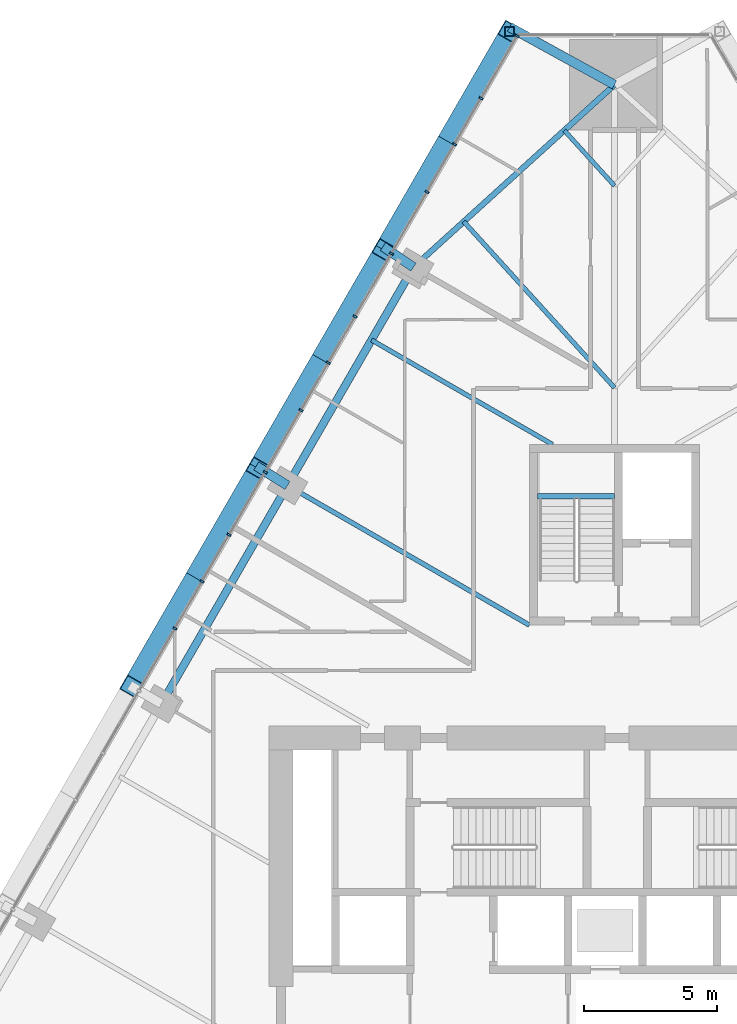
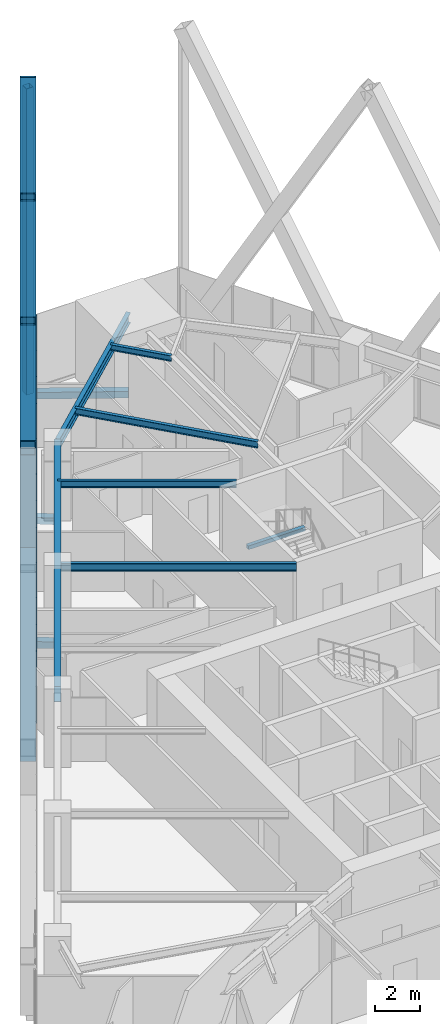
# One storey, part 10 of 21: 22 members, 7 beams, 1 element without a shape of its own.
"""IFC4 building model written with IfcOpenShell, lengths in metres."""

from ifc_helpers import new_model, si_unit, direction, frame, origin, origin_2d, place, context, subcontext, project, spatial, rectangle, hollow_rectangle, i_section, extrude, material, layer, layer_set, material_profile, profile_set, type_object, element, aggregate, save


model = new_model("IFC4")

# Units and contexts
model_context = context("Model", 3, precision=1e-05, world=origin(), true_north=direction((0.0, 1.0)))
body_context = subcontext(model_context, "Body", "Model", "MODEL_VIEW")
ifc_project = project(units=[si_unit("LENGTHUNIT", "METRE"), si_unit("AREAUNIT", "SQUARE_METRE"), si_unit("VOLUMEUNIT", "CUBIC_METRE"), si_unit("PLANEANGLEUNIT", "RADIAN"), si_unit("MASSUNIT", "GRAM", prefix="KILO")], contexts=[model_context])

# Site, building, storey
site_placement = place(None, origin())
site = spatial("IfcSite", under=ifc_project, at=site_placement, CompositionType="ELEMENT")
building_placement = place(site_placement, origin())
building = spatial("IfcBuilding", under=site, at=building_placement, Name="Firuza Gate Tower and Library", CompositionType="ELEMENT")
storey_placement = place(building_placement, frame((0.0, 0.0, 73.60009765625)))
storey = spatial("IfcBuildingStorey", under=building, at=storey_placement, Name="L16", CompositionType="ELEMENT", Elevation=73.60009765625)

# Members
ifc_material_1 = material(Name="Steel S355", Category="steel")
ifc_material_profile_1 = material_profile(ifc_material_1, hollow_rectangle(XDim=0.699951171875, YDim=0.699951171875, WallThickness=0.030029296875, at=origin_2d()))
ifc_profile_set_1 = profile_set([ifc_material_profile_1], Name="Steel S355")
member_type_1 = type_object("IfcMemberType", Name="BU700x700x30 Lattice brace", PredefinedType="BRACE", material=ifc_profile_set_1)
for number, where, z_axis, x_axis, name in (
    (1, (71.0537109375, 110.136474609375, 0.0), (-0.245828209421, -0.425789239287, 0.870788157453), (0.866026568532, -0.499997982593, 0.0), "Lattice brace W 3.1R"),
    (2, (66.31103515625, 101.921875, 0.0), (0.245828209421, 0.425789239287, 0.870788157453), (-0.866026568532, 0.499997982593, 0.0), "Lattice brace W 3.1L"),
):
    element("IfcMember", number, at=place(storey_placement, frame(where, z_axis=z_axis, x_axis=x_axis)), inside=storey, type_object=member_type_1, Name=name, PredefinedType="BRACE", context=body_context, shape_type="SweptSolid", body=[
        extrude(hollow_rectangle(XDim=0.699951171875, YDim=0.699951171875, WallThickness=0.030029296875, at=origin_2d()), origin(), (0.0, 0.0, 1.0), 19.292724609375),
    ])
for number, where, z_axis, x_axis, name in (
    (3, (66.31103515625, 101.921875, 0.0), (-0.245829533982, -0.42577887884, 0.870792849394), (0.866020133719, -0.500009127909, 0.0), "Lattice brace W 3.2R"),
    (4, (61.568359375, 93.70751953125, 0.0), (0.245829533982, 0.42577887884, 0.870792849394), (-0.866020133719, 0.500009127909, 0.0), "Lattice brace W 3.2L"),
):
    element("IfcMember", number, at=place(storey_placement, frame(where, z_axis=z_axis, x_axis=x_axis)), inside=storey, type_object=member_type_1, Name=name, PredefinedType="BRACE", context=body_context, shape_type="SweptSolid", body=[
        extrude(hollow_rectangle(XDim=0.699951171875, YDim=0.699951171875, WallThickness=0.030029296875, at=origin_2d()), origin(), (0.0, 0.0, 1.0), 19.29248046875),
    ])
for number, where, z_axis, x_axis, name in (
    (5, (61.568359375, 93.70751953125, 0.0), (-0.245828209421, -0.425789239287, 0.870788157453), (0.866026568532, -0.499997982593, 0.0), "Lattice brace W 3.3R"),
    (6, (56.82568359375, 85.492919921875, 0.0), (0.245828209421, 0.425789239287, 0.870788157453), (-0.866026568532, 0.499997982593, 0.0), "Lattice brace W 3.3L"),
):
    element("IfcMember", number, at=place(storey_placement, frame(where, z_axis=z_axis, x_axis=x_axis)), inside=storey, type_object=member_type_1, Name=name, PredefinedType="BRACE", context=body_context, shape_type="SweptSolid", body=[
        extrude(hollow_rectangle(XDim=0.699951171875, YDim=0.699951171875, WallThickness=0.030029296875, at=origin_2d()), origin(), (0.0, 0.0, 1.0), 19.292724609375),
    ])

# Curtain wall, members
ifc_material_2 = material(Name="Aluminium 6063-T6", Category="aluminium")
ifc_layer = layer(ifc_material_2, 0.14990234375)
ifc_layer_set = layer_set([ifc_layer], Name="Unitised curtain wall, offices")
curtain_wall_type = type_object("IfcCurtainWallType", Name="Unitised curtain wall, offices", PredefinedType="NOTDEFINED", material=ifc_layer_set)
curtain_wall_placement = place(storey_placement, origin())
curtain_wall = element("IfcCurtainWall", 7, at=curtain_wall_placement, inside=storey, type_object=curtain_wall_type, Name="CW1 L16 W face", PredefinedType="NOTDEFINED")
ifc_material_3 = material(Name="Aluminium 6063-T6", Category="aluminium")
ifc_material_profile_2 = material_profile(ifc_material_3, rectangle(XDim=0.14990234375, YDim=0.080078125, at=origin_2d()))
ifc_profile_set_2 = profile_set([ifc_material_profile_2], Name="Aluminium 6063-T6")
member_type_2 = type_object("IfcMemberType", Name="Curtain wall mullion 80x150", PredefinedType="MULLION", material=ifc_profile_set_2)
member_1_placement = place(storey_placement, frame((71.336669921875, 109.976806640625, 0.14990234375), z_axis=(0.0, 0.0, 1.0), x_axis=(0.866025403784, -0.5, 0.0)))
member_1 = element("IfcMember", 8, at=member_1_placement, type_object=member_type_2, Name="Mullion", PredefinedType="MULLION", context=body_context, shape_type="SweptSolid", body=[
    extrude(rectangle(XDim=0.14990234375, YDim=0.080078125, at=origin_2d()), origin(), (0.0, 0.0, 1.0), 3.85009765625),
])
member_2_placement = place(storey_placement, frame((68.981689453125, 105.89794921875, 0.14990234375), z_axis=(0.0, 0.0, 1.0), x_axis=(0.866025403784, -0.5, 0.0)))
member_2 = element("IfcMember", 9, at=member_2_placement, type_object=member_type_2, Name="Mullion", PredefinedType="MULLION", context=body_context, shape_type="SweptSolid", body=[
    extrude(rectangle(XDim=0.14990234375, YDim=0.080078125, at=origin_2d()), origin(), (0.0, 0.0, 1.0), 3.85009765625),
])
member_3_placement = place(storey_placement, frame((66.60693359375, 101.784423828125, 0.14990234375), z_axis=(0.0, 0.0, 1.0), x_axis=(0.866025403784, -0.5, 0.0)))
member_3 = element("IfcMember", 10, at=member_3_placement, type_object=member_type_2, Name="Mullion", PredefinedType="MULLION", context=body_context, shape_type="SweptSolid", body=[
    extrude(rectangle(XDim=0.14990234375, YDim=0.080078125, at=origin_2d()), origin(), (0.0, 0.0, 1.0), 3.85009765625),
])
member_4_placement = place(storey_placement, frame((64.23193359375, 97.6708984375, 0.14990234375), z_axis=(0.0, 0.0, 1.0), x_axis=(0.866025403784, -0.5, 0.0)))
member_4 = element("IfcMember", 11, at=member_4_placement, type_object=member_type_2, Name="Mullion", PredefinedType="MULLION", context=body_context, shape_type="SweptSolid", body=[
    extrude(rectangle(XDim=0.14990234375, YDim=0.080078125, at=origin_2d()), origin(), (0.0, 0.0, 1.0), 3.85009765625),
])
member_5_placement = place(storey_placement, frame((61.85693359375, 93.557373046875, 0.14990234375), z_axis=(0.0, 0.0, 1.0), x_axis=(0.866025403784, -0.5, 0.0)))
member_5 = element("IfcMember", 12, at=member_5_placement, type_object=member_type_2, Name="Mullion", PredefinedType="MULLION", context=body_context, shape_type="SweptSolid", body=[
    extrude(rectangle(XDim=0.14990234375, YDim=0.080078125, at=origin_2d()), origin(), (0.0, 0.0, 1.0), 3.85009765625),
])
member_6_placement = place(storey_placement, frame((59.48193359375, 89.444091796875, 0.14990234375), z_axis=(0.0, 0.0, 1.0), x_axis=(0.866025403784, -0.5, 0.0)))
member_6 = element("IfcMember", 13, at=member_6_placement, type_object=member_type_2, Name="Mullion", PredefinedType="MULLION", context=body_context, shape_type="SweptSolid", body=[
    extrude(rectangle(XDim=0.14990234375, YDim=0.080078125, at=origin_2d()), origin(), (0.0, 0.0, 1.0), 3.85009765625),
])
member_7_placement = place(storey_placement, frame((69.982421875, 107.631103515625, 0.14990234375), z_axis=(0.0, 0.0, 1.0), x_axis=(0.866025403784, -0.5, 0.0)))
member_7 = element("IfcMember", 14, at=member_7_placement, type_object=member_type_2, Name="Mullion", PredefinedType="MULLION", context=body_context, shape_type="SweptSolid", body=[
    extrude(rectangle(XDim=0.14990234375, YDim=0.080078125, at=origin_2d()), origin(), (0.0, 0.0, 1.0), 3.85009765625),
])
member_8_placement = place(storey_placement, frame((67.945068359375, 104.102294921875, 0.14990234375), z_axis=(0.0, 0.0, 1.0), x_axis=(0.866025403784, -0.5, 0.0)))
member_8 = element("IfcMember", 15, at=member_8_placement, type_object=member_type_2, Name="Mullion", PredefinedType="MULLION", context=body_context, shape_type="SweptSolid", body=[
    extrude(rectangle(XDim=0.14990234375, YDim=0.080078125, at=origin_2d()), origin(), (0.0, 0.0, 1.0), 3.85009765625),
])
member_9_placement = place(storey_placement, frame((65.23974609375, 99.41650390625, 0.14990234375), z_axis=(0.0, 0.0, 1.0), x_axis=(0.866025403784, -0.5, 0.0)))
member_9 = element("IfcMember", 16, at=member_9_placement, type_object=member_type_2, Name="Mullion", PredefinedType="MULLION", context=body_context, shape_type="SweptSolid", body=[
    extrude(rectangle(XDim=0.14990234375, YDim=0.080078125, at=origin_2d()), origin(), (0.0, 0.0, 1.0), 3.85009765625),
])
member_10_placement = place(storey_placement, frame((63.202392578125, 95.887939453125, 0.14990234375), z_axis=(0.0, 0.0, 1.0), x_axis=(0.866025403784, -0.5, 0.0)))
member_10 = element("IfcMember", 17, at=member_10_placement, type_object=member_type_2, Name="Mullion", PredefinedType="MULLION", context=body_context, shape_type="SweptSolid", body=[
    extrude(rectangle(XDim=0.14990234375, YDim=0.080078125, at=origin_2d()), origin(), (0.0, 0.0, 1.0), 3.85009765625),
])
member_11_placement = place(storey_placement, frame((60.4970703125, 91.2021484375, 0.14990234375), z_axis=(0.0, 0.0, 1.0), x_axis=(0.866025403784, -0.5, 0.0)))
member_11 = element("IfcMember", 18, at=member_11_placement, type_object=member_type_2, Name="Mullion", PredefinedType="MULLION", context=body_context, shape_type="SweptSolid", body=[
    extrude(rectangle(XDim=0.14990234375, YDim=0.080078125, at=origin_2d()), origin(), (0.0, 0.0, 1.0), 3.85009765625),
])
member_12_placement = place(storey_placement, frame((58.459716796875, 87.67333984375, 0.14990234375), z_axis=(0.0, 0.0, 1.0), x_axis=(0.866025403784, -0.5, 0.0)))
member_12 = element("IfcMember", 19, at=member_12_placement, type_object=member_type_2, Name="Mullion", PredefinedType="MULLION", context=body_context, shape_type="SweptSolid", body=[
    extrude(rectangle(XDim=0.14990234375, YDim=0.080078125, at=origin_2d()), origin(), (0.0, 0.0, 1.0), 3.85009765625),
])
aggregate(curtain_wall, [member_1, member_2, member_3, member_4, member_5, member_6, member_7, member_8, member_9, member_10, member_11, member_12])

# Members
ifc_material_4 = material(Name="Steel S355", Category="steel")
ifc_material_profile_3 = material_profile(ifc_material_4, hollow_rectangle(XDim=0.355712890625, YDim=0.355712890625, WallThickness=0.014892578125, at=origin_2d()))
ifc_profile_set_3 = profile_set([ifc_material_profile_3], Name="Steel S355")
member_type_3 = type_object("IfcMemberType", Name="HSS356x356x16 Lattice corner stile", PredefinedType="BRACE", material=ifc_profile_set_3)
member_13_placement = place(storey_placement, frame((71.0537109375, 110.136474609375, -0.14013671875), z_axis=(0.0, 0.0, 1.0), x_axis=(1.0, 0.0, 0.0)))
element("IfcMember", 20, at=member_13_placement, inside=storey, type_object=member_type_3, Name="Lattice corner stile W 3.A", PredefinedType="BRACE", context=body_context, shape_type="SweptSolid", body=[
    extrude(hollow_rectangle(XDim=0.355712890625, YDim=0.355712890625, WallThickness=0.014892578125, at=origin_2d()), origin(), (0.0, 0.0, 1.0), 16.43994140625),
])
ifc_material_5 = material(Name="Steel S355", Category="steel")
ifc_material_profile_4 = material_profile(ifc_material_5, hollow_rectangle(XDim=0.355712890625, YDim=0.355712890625, WallThickness=0.014892578125, at=origin_2d()))
ifc_profile_set_4 = profile_set([ifc_material_profile_4], Name="Steel S355")
member_type_4 = type_object("IfcMemberType", Name="HSS356x356x16 Lattice node tie", PredefinedType="BRACE", material=ifc_profile_set_4)
member_14_placement = place(storey_placement, frame((62.694091796875, 93.057373046875, -0.320068359375), z_axis=(-0.847691426785, 0.530489627566, 0.0), x_axis=(-0.530489627566, -0.847691426785, 0.0)))
element("IfcMember", 21, at=member_14_placement, inside=storey, type_object=member_type_4, Name="Lattice node tie W L16 61", PredefinedType="BRACE", context=body_context, shape_type="SweptSolid", body=[
    extrude(hollow_rectangle(XDim=0.355712890625, YDim=0.355712890625, WallThickness=0.014892578125, at=origin_2d()), origin(), (0.0, 0.0, 1.0), 1.38623046875),
])
member_15_placement = place(storey_placement, frame((67.436767578125, 101.27197265625, -0.320068359375), z_axis=(-0.828408179882, 0.560124885633, 0.0), x_axis=(-0.560124885633, -0.828408179882, 0.0)))
element("IfcMember", 22, at=member_15_placement, inside=storey, type_object=member_type_4, Name="Lattice node tie W L16 62", PredefinedType="BRACE", context=body_context, shape_type="SweptSolid", body=[
    extrude(hollow_rectangle(XDim=0.355712890625, YDim=0.355712890625, WallThickness=0.014892578125, at=origin_2d()), origin(), (0.0, 0.0, 1.0), 1.388671875),
])
member_16_placement = place(storey_placement, frame((75.0, 108.136474609375, -0.320068359375), z_axis=(-0.876220486676, 0.481910426043, 0.0), x_axis=(-0.481910426043, -0.876220486676, 0.0)))
element("IfcMember", 23, at=member_16_placement, inside=storey, type_object=member_type_4, Name="Lattice node tie W L16 63", PredefinedType="BRACE", context=body_context, shape_type="SweptSolid", body=[
    extrude(hollow_rectangle(XDim=0.355712890625, YDim=0.355712890625, WallThickness=0.014892578125, at=origin_2d()), origin(), (0.0, 0.0, 1.0), 4.503662109375),
])

# Beams
ifc_material_6 = material(Name="Concrete C35/45", Category="concrete")
ifc_material_profile_5 = material_profile(ifc_material_6, rectangle(XDim=0.199951171875, YDim=0.199951171875, at=origin_2d()))
ifc_profile_set_5 = profile_set([ifc_material_profile_5], Name="Concrete C35/45")
beam_type_1 = type_object("IfcBeamType", Name="Stair landing bearer 200x200", PredefinedType="BEAM", material=ifc_profile_set_5)
beam_1_placement = place(storey_placement, frame((75.0, 92.64990234375, 1.7998046875), z_axis=(-1.0, 0.0, 0.0), x_axis=(0.0, -1.0, 0.0)))
element("IfcBeam", 24, at=beam_1_placement, inside=storey, type_object=beam_type_1, Name="Landing bearer L16 stair 3", PredefinedType="BEAM", context=body_context, shape_type="SweptSolid", body=[
    extrude(rectangle(XDim=0.199951171875, YDim=0.199951171875, at=origin_2d()), origin(), (0.0, 0.0, 1.0), 2.89990234375),
])
ifc_material_7 = material(Name="Steel S355", Category="steel")
ifc_material_profile_6 = material_profile(ifc_material_7, i_section(OverallWidth=0.1650390625, OverallDepth=0.31005859375, WebThickness=0.005859375, FlangeThickness=0.009765625, at=origin_2d()))
ifc_profile_set_6 = profile_set([ifc_material_profile_6], Name="Steel S355")
beam_type_2 = type_object("IfcBeamType", Name="W310x39 Floor beam", PredefinedType="JOIST", material=ifc_profile_set_6)
beam_2_placement = place(storey_placement, frame((73.109130859375, 106.42041015625, 3.844970703125), z_axis=(0.672089489403, -0.740469930675, 0.0), x_axis=(0.740469930675, 0.672089489403, 0.0)))
element("IfcBeam", 25, at=beam_2_placement, inside=storey, type_object=beam_type_2, Name="Floor beam L16 s70", PredefinedType="JOIST", context=body_context, shape_type="SweptSolid", body=[
    extrude(i_section(OverallWidth=0.1650390625, OverallDepth=0.31005859375, WebThickness=0.005859375, FlangeThickness=0.009765625, at=origin_2d()), origin(), (0.0, 0.0, 1.0), 2.8134765625),
])
ifc_material_8 = material(Name="Steel S355", Category="steel")
ifc_material_profile_7 = material_profile(ifc_material_8, i_section(OverallWidth=0.1708984375, OverallDepth=0.35498046875, WebThickness=0.007080078125, FlangeThickness=0.01171875, at=origin_2d()))
ifc_profile_set_7 = profile_set([ifc_material_profile_7], Name="Steel S355")
beam_type_3 = type_object("IfcBeamType", Name="W360x51 Floor beam", PredefinedType="JOIST", material=ifc_profile_set_7)
beam_3_placement = place(storey_placement, frame((69.32763671875, 102.988037109375, 3.822509765625), z_axis=(0.672073629083, -0.740484326027, 0.0), x_axis=(0.740484326027, 0.672073629083, 0.0)))
element("IfcBeam", 26, at=beam_3_placement, inside=storey, type_object=beam_type_3, Name="Floor beam L16 s71", PredefinedType="JOIST", context=body_context, shape_type="SweptSolid", body=[
    extrude(i_section(OverallWidth=0.1708984375, OverallDepth=0.35498046875, WebThickness=0.007080078125, FlangeThickness=0.01171875, at=origin_2d()), origin(), (0.0, 0.0, 1.0), 8.440185546875),
])
beam_4_placement = place(storey_placement, frame((65.85595703125, 98.533935546875, 3.822509765625), z_axis=(0.866021255939, -0.50000718421, 0.0), x_axis=(0.50000718421, 0.866021255939, 0.0)))
element("IfcBeam", 27, at=beam_4_placement, inside=storey, type_object=beam_type_3, Name="Floor beam L16 s80", PredefinedType="JOIST", context=body_context, shape_type="SweptSolid", body=[
    extrude(i_section(OverallWidth=0.1708984375, OverallDepth=0.35498046875, WebThickness=0.007080078125, FlangeThickness=0.01171875, at=origin_2d()), origin(), (0.0, 0.0, 1.0), 7.86767578125),
])
ifc_material_9 = material(Name="Steel S355", Category="steel")
ifc_material_profile_8 = material_profile(ifc_material_9, i_section(OverallWidth=0.177978515625, OverallDepth=0.406982421875, WebThickness=0.0078125, FlangeThickness=0.0126953125, at=origin_2d()))
ifc_profile_set_8 = profile_set([ifc_material_profile_8], Name="Steel S355")
beam_type_4 = type_object("IfcBeamType", Name="W410x60 Floor beam", PredefinedType="JOIST", material=ifc_profile_set_8)
beam_5_placement = place(storey_placement, frame((62.694091796875, 93.057373046875, 3.79638671875), z_axis=(0.866035561846, -0.499982405309, 0.0), x_axis=(0.499982405309, 0.866035561846, 0.0)))
element("IfcBeam", 28, at=beam_5_placement, inside=storey, type_object=beam_type_4, Name="Floor beam L16 s81", PredefinedType="JOIST", context=body_context, shape_type="SweptSolid", body=[
    extrude(i_section(OverallWidth=0.177978515625, OverallDepth=0.406982421875, WebThickness=0.0078125, FlangeThickness=0.0126953125, at=origin_2d()), origin(), (0.0, 0.0, 1.0), 10.5146484375),
])
ifc_material_10 = material(Name="Steel S355", Category="steel")
ifc_material_profile_9 = material_profile(ifc_material_10, i_section(OverallWidth=0.212890625, OverallDepth=0.5390625, WebThickness=0.01171875, FlangeThickness=0.018798828125, at=origin_2d()))
ifc_profile_set_9 = profile_set([ifc_material_profile_9], Name="Steel S355")
beam_type_5 = type_object("IfcBeamType", Name="W530x109 Edge beam", PredefinedType="SPANDREL", material=ifc_profile_set_9)
beam_6_placement = place(storey_placement, frame((75.0, 108.136474609375, 3.73046875), z_axis=(-0.740483862736, -0.672074139532, 0.0), x_axis=(0.672074139532, -0.740483862736, 0.0)))
element("IfcBeam", 29, at=beam_6_placement, inside=storey, type_object=beam_type_5, Name="Edge beam L16 e70", PredefinedType="SPANDREL", context=body_context, shape_type="SweptSolid", body=[
    extrude(i_section(OverallWidth=0.212890625, OverallDepth=0.5390625, WebThickness=0.01171875, FlangeThickness=0.018798828125, at=origin_2d()), origin(), (0.0, 0.0, 1.0), 10.2138671875),
])
ifc_material_11 = material(Name="Steel S355", Category="steel")
ifc_material_profile_10 = material_profile(ifc_material_11, i_section(OverallWidth=0.2919921875, OverallDepth=0.8349609375, WebThickness=0.013916015625, FlangeThickness=0.018798828125, at=origin_2d()))
ifc_profile_set_10 = profile_set([ifc_material_profile_10], Name="Steel S355")
beam_type_6 = type_object("IfcBeamType", Name="W840x176 Edge beam", PredefinedType="SPANDREL", material=ifc_profile_set_10)
beam_7_placement = place(storey_placement, frame((67.436767578125, 101.27197265625, 3.58251953125), z_axis=(-0.500003555199, -0.866023351179, 0.0), x_axis=(0.866023351179, -0.500003555199, 0.0)))
element("IfcBeam", 30, at=beam_7_placement, inside=storey, type_object=beam_type_6, Name="Edge beam L16 e80", PredefinedType="SPANDREL", context=body_context, shape_type="SweptSolid", body=[
    extrude(i_section(OverallWidth=0.2919921875, OverallDepth=0.8349609375, WebThickness=0.013916015625, FlangeThickness=0.018798828125, at=origin_2d()), origin(), (0.0, 0.0, 1.0), 18.970458984375),
])

save(model, "model.ifc")
